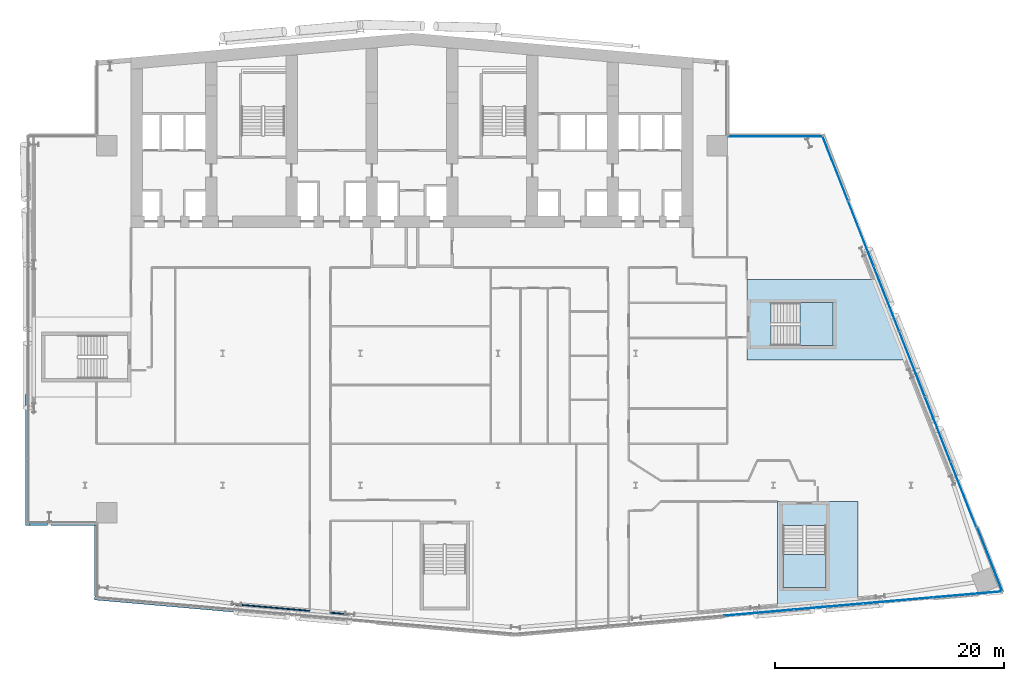
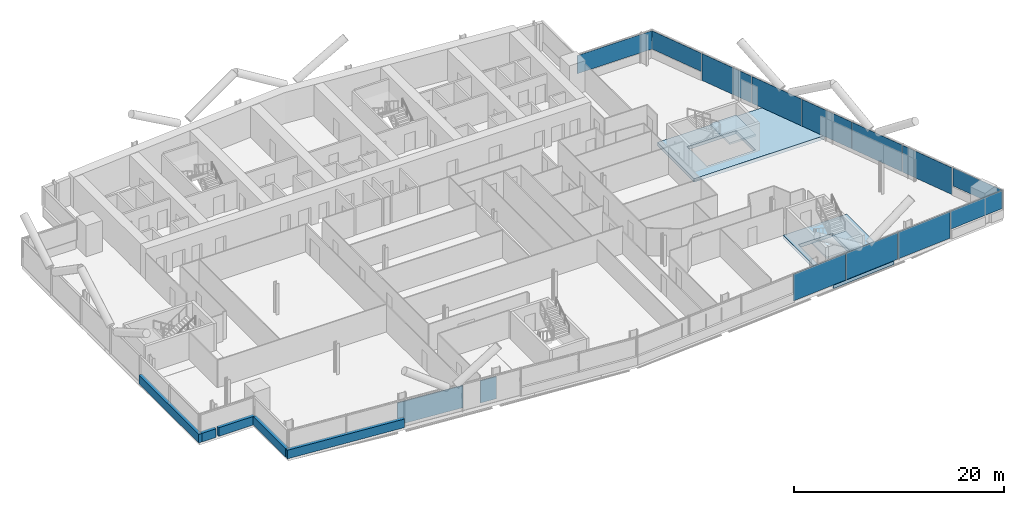
# One storey, part 13 of 27: 12 plates, 7 walls, 4 slabs, 5 elements without a shape of their own.
"""IFC4 building model written with IfcOpenShell, lengths in metres."""

import ifcopenshell
import ifcopenshell.guid

model = None  # the IFC model being written
_history = None  # IfcOwnerHistory: only IFC2X3 demands one
_inside = {}  # id of a spatial element -> (the spatial element, [elements in it])
_under = {}  # id of a project, library or spatial element -> (it, [spatial elements below it])
_declared = {}  # id of a project -> (the project, [libraries it declares])
_typed = {}  # id of a type object -> (the type object, [elements of that type])
_made_of = {}  # id of a material, layer set ... -> (it, [elements and type objects made of it])


def new_model(schema):
    """Start an empty IFC model of exactly this schema.

    Asked for "IFC4X3", IfcOpenShell would pick the latest addendum, in which some entities
    have other attributes; the version numbers below select the first issue.
    IFC2X3 requires an IfcOwnerHistory on every rooted entity: one is made here for all.
    """
    global model, _history
    if schema == "IFC4X3":
        model = ifcopenshell.file(schema_version=(4, 3, 0, 0))
    else:
        model = ifcopenshell.file(schema=schema)
    _inside.clear()
    _under.clear()
    _declared.clear()
    _typed.clear()
    _made_of.clear()
    _history = None
    if model.schema == "IFC2X3":
        org = make("IfcOrganization", Name="unknown")
        user = make(
            "IfcPersonAndOrganization",
            ThePerson=make("IfcPerson", FamilyName="unknown"),
            TheOrganization=org,
        )
        app = make(
            "IfcApplication",
            ApplicationDeveloper=org,
            Version="unknown",
            ApplicationFullName="unknown",
            ApplicationIdentifier="unknown",
        )
        _history = make(
            "IfcOwnerHistory",
            OwningUser=user,
            OwningApplication=app,
            ChangeAction="ADDED",
            CreationDate=0,
        )
    return model


def make(cls, **values):
    """One entity of the class cls with the attributes given. An attribute that is None is left unset."""
    return model.create_entity(
        cls, **{name: value for name, value in values.items() if value is not None}
    )


def rooted(cls, **values):
    """An entity with a GlobalId (a new one), such as an element, a storey or a relation."""
    return make(cls, GlobalId=ifcopenshell.guid.new(), OwnerHistory=_history, **values)


def si_unit(unit_type, name, prefix=None):
    """IfcSIUnit, for example si_unit("LENGTHUNIT", "METRE", prefix="MILLI")."""
    return make("IfcSIUnit", UnitType=unit_type, Prefix=prefix, Name=name)


def assignment(units):
    """IfcUnitAssignment: the units of a project."""
    return None if units is None else make("IfcUnitAssignment", Units=units)


def point(xyz):
    """IfcCartesianPoint."""
    return None if xyz is None else make("IfcCartesianPoint", Coordinates=xyz)


def direction(xyz):
    """IfcDirection."""
    return None if xyz is None else make("IfcDirection", DirectionRatios=xyz)


def frame(location, z_axis=None, x_axis=None):
    """IfcAxis2Placement3D, a coordinate frame: its origin and axes. An axis left out is left unset."""
    return make(
        "IfcAxis2Placement3D",
        Location=point(location),
        Axis=direction(z_axis),
        RefDirection=direction(x_axis),
    )


def frame_2d(location, x_axis=None):
    """IfcAxis2Placement2D, a coordinate frame in the plane: its origin and x axis."""
    return make(
        "IfcAxis2Placement2D", Location=point(location), RefDirection=direction(x_axis)
    )


def origin():
    """The frame at (0, 0, 0) with its axes left unset."""
    return frame((0.0, 0.0, 0.0))


def origin_2d():
    """The frame at (0, 0) in the plane with its x axis left unset."""
    return frame_2d((0.0, 0.0))


def place(relative_to, where):
    """IfcLocalPlacement: puts the frame where relative to a parent placement (None: the world)."""
    return make(
        "IfcLocalPlacement", PlacementRelTo=relative_to, RelativePlacement=where
    )


def context(
    kind, dimensions, precision=None, world=None, true_north=None, identifier=None
):
    """IfcGeometricRepresentationContext, for example the 3D "Model" context."""
    return make(
        "IfcGeometricRepresentationContext",
        ContextIdentifier=identifier,
        ContextType=kind,
        CoordinateSpaceDimension=dimensions,
        Precision=precision,
        WorldCoordinateSystem=world,
        TrueNorth=true_north,
    )


def subcontext(parent, identifier, kind, view, scale=None):
    """IfcGeometricRepresentationSubContext, for example "Body" below "Model"."""
    return make(
        "IfcGeometricRepresentationSubContext",
        ContextIdentifier=identifier,
        ContextType=kind,
        ParentContext=parent,
        TargetScale=scale,
        TargetView=view,
    )


def project(units=None, contexts=None):
    """IfcProject with its units and contexts."""
    return rooted(
        "IfcProject",
        Name="project",
        RepresentationContexts=contexts,
        UnitsInContext=assignment(units),
    )


def spatial(cls, under=None, at=None, **own):
    """A site, building, storey or space (cls), placed at a placement, below another one or the project."""
    s = rooted(cls, ObjectPlacement=at, **own)
    if under is not None:
        _under.setdefault(under.id(), (under, []))[1].append(s)
    return s


def polyline(points):
    """IfcPolyline through the points."""
    return make("IfcPolyline", Points=[point(p) for p in points])


def profile(cls, at=None, kind="AREA", **sizes):
    """A parametric profile (cls). Its sizes go by their IFC names, for example OverallWidth=200.0."""
    return make(cls, ProfileType=kind, Position=at, **sizes)


def rectangle(**sizes):
    """IfcRectangleProfileDef."""
    return profile("IfcRectangleProfileDef", **sizes)


def outline(outer, holes=None, kind="AREA"):
    """IfcArbitraryClosedProfileDef: a profile drawn as a closed curve; with holes, ...WithVoids."""
    if holes is None:
        return make("IfcArbitraryClosedProfileDef", ProfileType=kind, OuterCurve=outer)
    return make(
        "IfcArbitraryProfileDefWithVoids",
        ProfileType=kind,
        OuterCurve=outer,
        InnerCurves=holes,
    )


def extrude(swept, where, along, depth):
    """IfcExtrudedAreaSolid: the profile swept, set in the frame where, extruded along a direction by depth."""
    return make(
        "IfcExtrudedAreaSolid",
        SweptArea=swept,
        Position=where,
        ExtrudedDirection=direction(along),
        Depth=depth,
    )


def shape(context_of_items, identifier, shape_type, items):
    """IfcShapeRepresentation: the items that make up one representation, for example the "Body"."""
    return make(
        "IfcShapeRepresentation",
        ContextOfItems=context_of_items,
        RepresentationIdentifier=identifier,
        RepresentationType=shape_type,
        Items=items,
    )


def material(Name=None, Category=None):
    """IfcMaterial."""
    return make("IfcMaterial", Name=Name, Category=Category)


def layer(
    of_material, thickness, ventilated=None, Name=None, Category=None, Priority=None
):
    """IfcMaterialLayer: one layer of a wall or slab, of a material (None: an air gap)."""
    return make(
        "IfcMaterialLayer",
        Material=of_material,
        LayerThickness=thickness,
        IsVentilated=ventilated,
        Name=Name,
        Category=Category,
        Priority=Priority,
    )


def layer_set(layers, Name=None):
    """IfcMaterialLayerSet."""
    return make("IfcMaterialLayerSet", MaterialLayers=layers, LayerSetName=Name)


def made_of(thing, what):
    """Note that an element or type object is made of a material, layer set ...; save() writes the relation."""
    if what is not None:
        _made_of.setdefault(what.id(), (what, []))[1].append(thing)
    return thing


def type_object(cls, material=None, **own):
    """A type object (cls), such as IfcWallType, which elements share."""
    return made_of(rooted(cls, **own), material)


def element(
    cls,
    number,
    at=None,
    inside=None,
    cuts=None,
    type_object=None,
    material=None,
    context=None,
    identifier="Body",
    shape_type=None,
    held_by="IfcProductDefinitionShape",
    body=None,
    shapes=None,
    **own,
):
    """One element of the class cls, such as IfcWall. Its Tag is "e" and its number.

    at: its placement. inside: the storey or other place that contains it. cuts: it is an
    opening in that element (IfcRelVoidsElement). A single representation is given by context,
    identifier, shape_type and body (its items); several are given by shapes. held_by: the class
    of the entity that holds the representations. save() writes the other relations.
    """
    e = rooted(cls, Tag="e%d" % number, ObjectPlacement=at, **own)
    if body is not None:
        shapes = [shape(context, identifier, shape_type, body)]
    if shapes is not None:
        e.Representation = make(held_by, Representations=shapes)
    if inside is not None:
        _inside.setdefault(inside.id(), (inside, []))[1].append(e)
    if cuts is not None:
        rooted(
            "IfcRelVoidsElement", RelatingBuildingElement=cuts, RelatedOpeningElement=e
        )
    if type_object is not None:
        _typed.setdefault(type_object.id(), (type_object, []))[1].append(e)
    return made_of(e, material)


def aggregate(whole, parts):
    """IfcRelAggregates: a whole, such as a stair, and the parts it consists of."""
    return rooted("IfcRelAggregates", RelatingObject=whole, RelatedObjects=parts)


def save(model, path):
    """Write the relations noted so far, then the file.

    IfcRelAggregates (storeys below a building ...), IfcRelContainedInSpatialStructure (elements
    in a storey), IfcRelDefinesByType, IfcRelAssociatesMaterial and IfcRelDeclares: one each for
    every whole, place, type object, material and project.
    """
    for whole, parts in _under.values():
        aggregate(whole, parts)
    for where, things in _inside.values():
        rooted(
            "IfcRelContainedInSpatialStructure",
            RelatedElements=things,
            RelatingStructure=where,
        )
    for kind, things in _typed.values():
        rooted("IfcRelDefinesByType", RelatedObjects=things, RelatingType=kind)
    for what, things in _made_of.values():
        rooted("IfcRelAssociatesMaterial", RelatedObjects=things, RelatingMaterial=what)
    for by, libraries in _declared.values():
        rooted("IfcRelDeclares", RelatingContext=by, RelatedDefinitions=libraries)
    model.write(path)


model = new_model("IFC4")

# Units and contexts
model_context = context("Model", 3, precision=1e-05, world=origin(), true_north=direction((0.0, 1.0)))
body_context = subcontext(model_context, "Body", "Model", "MODEL_VIEW")
ifc_project = project(units=[si_unit("LENGTHUNIT", "METRE"), si_unit("AREAUNIT", "SQUARE_METRE"), si_unit("VOLUMEUNIT", "CUBIC_METRE"), si_unit("PLANEANGLEUNIT", "RADIAN"), si_unit("MASSUNIT", "GRAM", prefix="KILO")], contexts=[model_context])

# Site, building, storey
site_placement = place(None, origin())
site = spatial("IfcSite", under=ifc_project, at=site_placement, CompositionType="ELEMENT")
building_placement = place(site_placement, origin())
building = spatial("IfcBuilding", under=site, at=building_placement, Name="Wharfspan Tower", CompositionType="ELEMENT")
storey_placement = place(building_placement, frame((0.0, 0.0, 111.100098)))
storey = spatial("IfcBuildingStorey", under=building, at=storey_placement, Name="L25", CompositionType="ELEMENT", Elevation=111.100098)

# Curtain wall, plate
ifc_material_1 = material(Name="Aluminium 6063-T6", Category="aluminium")
curtain_wall_type_1 = type_object("IfcCurtainWallType", Name="CURTAIN WALL FACETED FRONT", PredefinedType="NOTDEFINED", material=ifc_material_1)
curtain_wall_1_placement = place(storey_placement, origin())
curtain_wall_1 = element("IfcCurtainWall", 1, at=curtain_wall_1_placement, inside=storey, type_object=curtain_wall_type_1, Name="Curtain wall S2", PredefinedType="NOTDEFINED")
ifc_material_2 = material(Name="Glass clear low-iron double glazing", Category="glass")
ifc_layer_1 = layer(ifc_material_2, 0.040039)
ifc_layer_set_1 = layer_set([ifc_layer_1], Name="Glass clear low-iron double glazing")
plate_type_1 = type_object("IfcPlateType", Name="GLASS PANEL FACETED FRONT 40", PredefinedType="CURTAIN_PANEL", material=ifc_layer_set_1)
plate_1_placement = place(storey_placement, frame((88.944092, 1.99292, 0.999756), z_axis=(0.0, 0.0, 1.0), x_axis=(0.996198, 0.087156, 0.0)))
plate_1 = element("IfcPlate", 2, at=plate_1_placement, type_object=plate_type_1, Name="Curtain wall S2 panel 7", PredefinedType="CURTAIN_PANEL", context=body_context, shape_type="SweptSolid", body=[
    extrude(rectangle(XDim=6.004639, YDim=0.040039, at=origin_2d()), origin(), (0.0, 0.0, 1.0), 2.120117),
])

# Curtain wall, plates
curtain_wall_type_2 = type_object("IfcCurtainWallType", Name="CURTAIN WALL PROW AND END", PredefinedType="NOTDEFINED", material=ifc_material_1)
curtain_wall_2_placement = place(storey_placement, origin())
curtain_wall_2 = element("IfcCurtainWall", 3, at=curtain_wall_2_placement, inside=storey, type_object=curtain_wall_type_2, Name="Curtain wall E", PredefinedType="NOTDEFINED")
ifc_layer_2 = layer(ifc_material_2, 0.040039)
ifc_layer_set_2 = layer_set([ifc_layer_2], Name="Glass clear low-iron double glazing")
plate_type_2 = type_object("IfcPlateType", Name="GLASS PANEL PROW AND END 40", PredefinedType="CURTAIN_PANEL", material=ifc_layer_set_2)
plate_2_placement = place(storey_placement, frame((90.877197, 5.056885, 0.999756), z_axis=(0.0, 0.0, 1.0), x_axis=(-0.365778, 0.930702, 0.0)))
plate_2 = element("IfcPlate", 4, at=plate_2_placement, type_object=plate_type_2, Name="Curtain wall E panel 1", PredefinedType="CURTAIN_PANEL", context=body_context, shape_type="SweptSolid", body=[
    extrude(rectangle(XDim=6.019043, YDim=0.040039, at=origin_2d()), origin(), (0.0, 0.0, 1.0), 2.120117),
])
plate_3_placement = place(storey_placement, frame((77.406494, 39.114014, 0.999756), z_axis=(0.0, 0.0, 1.0), x_axis=(-0.365778, 0.930702, 0.0)))
plate_3 = element("IfcPlate", 5, at=plate_3_placement, type_object=plate_type_2, Name="Curtain wall E panel 7", PredefinedType="CURTAIN_PANEL", context=body_context, shape_type="SweptSolid", body=[
    extrude(rectangle(XDim=6.019043, YDim=0.040039, at=origin_2d()), origin(), (0.0, 0.0, 1.0), 2.120117),
])

# Curtain wall, plate
curtain_wall_3_placement = place(storey_placement, origin())
curtain_wall_3 = element("IfcCurtainWall", 6, at=curtain_wall_3_placement, inside=storey, type_object=curtain_wall_type_2, Name="Curtain wall NRE-H", PredefinedType="NOTDEFINED")
plate_4_placement = place(storey_placement, frame((72.178955, 41.919922, 0.999756), z_axis=(0.0, 0.0, 1.0), x_axis=(-1.0, 0.0, 0.0)))
plate_4 = element("IfcPlate", 7, at=plate_4_placement, type_object=plate_type_2, Name="Curtain wall NRE-H panel 1", PredefinedType="CURTAIN_PANEL", context=body_context, shape_type="SweptSolid", body=[
    extrude(rectangle(XDim=8.238037, YDim=0.040039, at=origin_2d()), origin(), (0.0, 0.0, 1.0), 2.120117),
])
aggregate(curtain_wall_3, [plate_4])

# Plate
ifc_material_3 = material(Name="Aluminium composite opaque insulated panel", Category="aluminium")
ifc_layer_3 = layer(ifc_material_3, 0.040039)
ifc_layer_set_3 = layer_set([ifc_layer_3], Name="Aluminium composite opaque insulated panel")
plate_type_3 = type_object("IfcPlateType", Name="INFILL PANEL FACETED FRONT OPAQUE 40", PredefinedType="SHEET", material=ifc_layer_set_3)
plate_5_placement = place(storey_placement, frame((70.744873, 0.400635, -0.000244), z_axis=(0.0, 0.0, 1.0), x_axis=(0.996198, 0.087156, 0.0)))
plate_5 = element("IfcPlate", 8, at=plate_5_placement, type_object=plate_type_3, Name="Curtain wall S2 panel 4", PredefinedType="SHEET", context=body_context, shape_type="SweptSolid", body=[
    extrude(rectangle(XDim=6.034668, YDim=0.040039, at=origin_2d()), origin(), (0.0, 0.0, 1.0), 3.120117),
])

plate_6_placement = place(storey_placement, frame((76.816162, 0.931885, -0.000244), z_axis=(0.0, 0.0, 1.0), x_axis=(0.996198, 0.087156, 0.0)))
plate_6 = element("IfcPlate", 9, at=plate_6_placement, type_object=plate_type_3, Name="Curtain wall S2 panel 5", PredefinedType="SHEET", context=body_context, shape_type="SweptSolid", body=[
    extrude(rectangle(XDim=6.034668, YDim=0.040039, at=origin_2d()), origin(), (0.0, 0.0, 1.0), 3.120117),
])

plate_7_placement = place(storey_placement, frame((82.887695, 1.462891, -0.000244), z_axis=(0.0, 0.0, 1.0), x_axis=(0.996198, 0.087156, 0.0)))
plate_7 = element("IfcPlate", 10, at=plate_7_placement, type_object=plate_type_3, Name="Curtain wall S2 panel 6", PredefinedType="SHEET", context=body_context, shape_type="SweptSolid", body=[
    extrude(rectangle(XDim=6.034668, YDim=0.040039, at=origin_2d()), origin(), (0.0, 0.0, 1.0), 3.120117),
])

aggregate(curtain_wall_1, [plate_5, plate_6, plate_7, plate_1])

ifc_layer_4 = layer(ifc_material_3, 0.040039)
ifc_layer_set_4 = layer_set([ifc_layer_4], Name="Aluminium composite opaque insulated panel")
plate_type_4 = type_object("IfcPlateType", Name="INFILL PANEL PROW AND END OPAQUE 40", PredefinedType="SHEET", material=ifc_layer_set_4)
plate_8_placement = place(storey_placement, frame((88.57373, 10.699219, -0.000244), z_axis=(0.0, 0.0, 1.0), x_axis=(-0.365778, 0.930702, 0.0)))
plate_8 = element("IfcPlate", 11, at=plate_8_placement, type_object=plate_type_4, Name="Curtain wall E panel 2", PredefinedType="SHEET", context=body_context, shape_type="SweptSolid", body=[
    extrude(rectangle(XDim=6.049072, YDim=0.040039, at=origin_2d()), origin(), (0.0, 0.0, 1.0), 3.120117),
])

plate_9_placement = place(storey_placement, frame((86.339111, 16.38501, -0.000244), z_axis=(0.0, 0.0, 1.0), x_axis=(-0.365778, 0.930702, 0.0)))
plate_9 = element("IfcPlate", 12, at=plate_9_placement, type_object=plate_type_4, Name="Curtain wall E panel 3", PredefinedType="SHEET", context=body_context, shape_type="SweptSolid", body=[
    extrude(rectangle(XDim=6.049072, YDim=0.040039, at=origin_2d()), origin(), (0.0, 0.0, 1.0), 3.120117),
])

plate_10_placement = place(storey_placement, frame((84.104492, 22.070801, -0.000244), z_axis=(0.0, 0.0, 1.0), x_axis=(-0.365778, 0.930702, 0.0)))
plate_10 = element("IfcPlate", 13, at=plate_10_placement, type_object=plate_type_4, Name="Curtain wall E panel 4", PredefinedType="SHEET", context=body_context, shape_type="SweptSolid", body=[
    extrude(rectangle(XDim=6.049072, YDim=0.040039, at=origin_2d()), origin(), (0.0, 0.0, 1.0), 3.120117),
])

plate_11_placement = place(storey_placement, frame((81.870117, 27.756348, -0.000244), z_axis=(0.0, 0.0, 1.0), x_axis=(-0.365778, 0.930702, 0.0)))
plate_11 = element("IfcPlate", 14, at=plate_11_placement, type_object=plate_type_4, Name="Curtain wall E panel 5", PredefinedType="SHEET", context=body_context, shape_type="SweptSolid", body=[
    extrude(rectangle(XDim=6.049072, YDim=0.040039, at=origin_2d()), origin(), (0.0, 0.0, 1.0), 3.120117),
])

plate_12_placement = place(storey_placement, frame((79.635498, 33.442139, -0.000244), z_axis=(0.0, 0.0, 1.0), x_axis=(-0.365778, 0.930702, 0.0)))
plate_12 = element("IfcPlate", 15, at=plate_12_placement, type_object=plate_type_4, Name="Curtain wall E panel 6", PredefinedType="SHEET", context=body_context, shape_type="SweptSolid", body=[
    extrude(rectangle(XDim=6.049072, YDim=0.040039, at=origin_2d()), origin(), (0.0, 0.0, 1.0), 3.120117),
])

aggregate(curtain_wall_2, [plate_2, plate_8, plate_9, plate_10, plate_11, plate_12, plate_3])

# Slabs
ifc_material_4 = material(Name="Concrete C40/50", Category="concrete")
ifc_layer_5 = layer(ifc_material_4, 0.399902)
ifc_layer_set_5 = layer_set([ifc_layer_5], Name="Concrete C40/50")
slab_type_1 = type_object("IfcSlabType", Name="Post-tensioned flat slab 400", PredefinedType="FLOOR", material=ifc_layer_set_5)
slab_1_placement = place(storey_placement, frame((0.0, 0.0, -0.400146)))
element("IfcSlab", 16, at=slab_1_placement, inside=storey, type_object=slab_type_1, Name="Core floor slab L25 part 5", PredefinedType="FLOOR", context=body_context, shape_type="SweptSolid", body=[
    extrude(outline(polyline([(79.365967, 10.094727), (76.891113, 10.094727), (72.541016, 10.094727), (72.365967, 10.094727), (72.365967, 0.482178), (79.365967, 1.094727), (79.365967, 10.094727)]), holes=[polyline([(76.591064, 7.996582), (76.591309, 7.996582), (76.591309, 7.996582), (76.591553, 7.996582), (76.591797, 7.996582), (76.591797, 7.996338), (76.592041, 7.996338), (76.592285, 7.996094), (76.592285, 7.996094), (76.592529, 7.99585), (76.592773, 7.99585), (76.592773, 7.995605), (76.593018, 7.995361), (76.593018, 7.995117), (76.593018, 7.995117), (76.593018, 7.994873), (76.593018, 7.994629), (76.593018, 2.594727), (76.593018, 2.594482), (76.593018, 2.594238), (76.593018, 2.593994), (76.593018, 2.593994), (76.592773, 2.59375), (76.592773, 2.593506), (76.592529, 2.593506), (76.592285, 2.593262), (76.592285, 2.593018), (76.592041, 2.593018), (76.591797, 2.593018), (76.591797, 2.592773), (76.591553, 2.592773), (76.591309, 2.592773), (76.591309, 2.592773), (76.591064, 2.592773), (72.841064, 2.592773), (72.84082, 2.592773), (72.840576, 2.592773), (72.840332, 2.592773), (72.840088, 2.592773), (72.840088, 2.593018), (72.839844, 2.593018), (72.8396, 2.593018), (72.8396, 2.593262), (72.8396, 2.593506), (72.839355, 2.593506), (72.839111, 2.59375), (72.839111, 2.593994), (72.839111, 2.593994), (72.839111, 2.594238), (72.839111, 2.594482), (72.839111, 2.594727), (72.839111, 7.994629), (72.839111, 7.994873), (72.839111, 7.995117), (72.839111, 7.995117), (72.839111, 7.995361), (72.839111, 7.995605), (72.839355, 7.99585), (72.8396, 7.99585), (72.8396, 7.996094), (72.8396, 7.996094), (72.839844, 7.996338), (72.840088, 7.996338), (72.840088, 7.996582), (72.840332, 7.996582), (72.840576, 7.996582), (72.84082, 7.996582), (72.841064, 7.996582), (76.591064, 7.996582)])]), origin(), (0.0, 0.0, 1.0), 0.400146),
])
slab_2_placement = place(storey_placement, frame((0.0, 0.0, -0.400146)))
element("IfcSlab", 17, at=slab_2_placement, inside=storey, type_object=slab_type_1, Name="Core floor slab L25 part 6", PredefinedType="FLOOR", context=body_context, shape_type="SweptSolid", body=[
    extrude(outline(polyline([(81.290283, 29.449951), (69.69043, 29.449951), (69.69043, 27.725098), (69.69043, 23.375), (69.69043, 22.449951), (84.041504, 22.449951), (81.290283, 29.449951)]), holes=[polyline([(71.790283, 23.673096), (71.790283, 23.673096), (71.790039, 23.673096), (71.789795, 23.673096), (71.789551, 23.673096), (71.789551, 23.673096), (71.789307, 23.67334), (71.789062, 23.673584), (71.789062, 23.673584), (71.788818, 23.673584), (71.788818, 23.673828), (71.788574, 23.674072), (71.788574, 23.674316), (71.788574, 23.674316), (71.78833, 23.674561), (71.78833, 23.674805), (71.78833, 23.675049), (71.78833, 27.425049), (71.78833, 27.425293), (71.78833, 27.425293), (71.788574, 27.425537), (71.788574, 27.425781), (71.788574, 27.425781), (71.788818, 27.426025), (71.788818, 27.42627), (71.789062, 27.426514), (71.789062, 27.426514), (71.789307, 27.426758), (71.789551, 27.426758), (71.789551, 27.426758), (71.789795, 27.427002), (71.790039, 27.427002), (71.790283, 27.427002), (71.790283, 27.427002), (77.19043, 27.427002), (77.190674, 27.427002), (77.190918, 27.427002), (77.190918, 27.427002), (77.191162, 27.426758), (77.191406, 27.426758), (77.191406, 27.426758), (77.19165, 27.426514), (77.191895, 27.426514), (77.191895, 27.42627), (77.192139, 27.426025), (77.192139, 27.425781), (77.192139, 27.425781), (77.192383, 27.425537), (77.192383, 27.425293), (77.192383, 27.425293), (77.192383, 27.425049), (77.192383, 23.675049), (77.192383, 23.674805), (77.192383, 23.674561), (77.192383, 23.674316), (77.192139, 23.674316), (77.192139, 23.674072), (77.192139, 23.673828), (77.191895, 23.673584), (77.191895, 23.673584), (77.19165, 23.673584), (77.191406, 23.67334), (77.191406, 23.673096), (77.191162, 23.673096), (77.190918, 23.673096), (77.190918, 23.673096), (77.190674, 23.673096), (77.19043, 23.673096), (71.790283, 23.673096)])]), origin(), (0.0, 0.0, 1.0), 0.400146),
])

# Stair, slab
stair_type = type_object("IfcStairType", Name="Half-turn stair 20 risers 180 mm", PredefinedType="HALF_TURN_STAIR", material=ifc_material_4)
stair_1_placement = place(storey_placement, origin())
stair_1 = element("IfcStair", 18, at=stair_1_placement, inside=storey, type_object=stair_type, Name="L25 stair ST5", PredefinedType="HALF_TURN_STAIR")
ifc_layer_6 = layer(ifc_material_4, 0.199951)
ifc_layer_set_6 = layer_set([ifc_layer_6], Name="Concrete C40/50")
slab_type_2 = type_object("IfcSlabType", Name="Stair landing 200", PredefinedType="LANDING", material=ifc_layer_set_6)
slab_3_placement = place(storey_placement, frame((0.0, 0.0, 1.599609)))
slab_3 = element("IfcSlab", 19, at=slab_3_placement, type_object=slab_type_2, Name="ST5 landing 1", PredefinedType="LANDING", context=body_context, shape_type="SweptSolid", body=[
    extrude(outline(polyline([(72.841064, 5.474609), (72.841064, 2.594727), (76.591064, 2.594727), (76.591064, 5.474609), (72.841064, 5.474609)])), origin(), (0.0, 0.0, 1.0), 0.200195),
])
aggregate(stair_1, [slab_3])

stair_2_placement = place(storey_placement, origin())
stair_2 = element("IfcStair", 20, at=stair_2_placement, inside=storey, type_object=stair_type, Name="L25 stair ST6", PredefinedType="HALF_TURN_STAIR")
slab_4_placement = place(storey_placement, frame((0.0, 0.0, 1.599609)))
slab_4 = element("IfcSlab", 21, at=slab_4_placement, type_object=slab_type_2, Name="ST6 landing 1", PredefinedType="LANDING", context=body_context, shape_type="SweptSolid", body=[
    extrude(outline(polyline([(74.310303, 23.675049), (77.19043, 23.675049), (77.19043, 27.425049), (74.310303, 27.425049), (74.310303, 23.675049)])), origin(), (0.0, 0.0, 1.0), 0.200195),
])
aggregate(stair_2, [slab_4])

# Walls
ifc_material_5 = material(Name="Gypsum board on steel studs", Category="steel")
ifc_layer_7 = layer(ifc_material_5, 0.100098)
ifc_layer_set_7 = layer_set([ifc_layer_7], Name="Gypsum board on steel studs")
wall_type_1 = type_object("IfcWallType", Name="Compartment wall 100 EI 60", PredefinedType="PARTITIONING", material=ifc_layer_set_7)
wall_1_placement = place(storey_placement, frame((31.600098, 0.560059, 0.0), z_axis=(0.0, 0.0, 1.0), x_axis=(-0.996229, 0.086796, 0.0)))
element("IfcWall", 22, at=wall_1_placement, inside=storey, type_object=wall_type_1, Name="Partition L25.w012", PredefinedType="PARTITIONING", context=body_context, shape_type="SweptSolid", body=[
    extrude(rectangle(XDim=6.911133, YDim=0.100098, at=frame_2d((3.455566, 0.0))), origin(), (0.0, 0.0, 1.0), 2.579834),
])
wall_2_placement = place(storey_placement, frame((35.084961, 0.254883, 0.0), z_axis=(0.0, 0.0, 1.0), x_axis=(-0.996316, 0.085745, 0.0)))
element("IfcWall", 23, at=wall_2_placement, inside=storey, type_object=wall_type_1, Name="Partition L25.w021", PredefinedType="PARTITIONING", context=body_context, shape_type="SweptSolid", body=[
    extrude(rectangle(XDim=1.691406, YDim=0.100098, at=frame_2d((0.845703, 0.0))), origin(), (0.0, 0.0, 1.0), 2.579834),
])
ifc_layer_8 = layer(ifc_material_4, 0.350098)
ifc_layer_set_8 = layer_set([ifc_layer_8], Name="Concrete C40/50")
wall_type_2 = type_object("IfcWallType", Name="SPANDREL EXPOSED CONCRETE 350", PredefinedType="SOLIDWALL", material=ifc_layer_set_8)
wall_3_placement = place(storey_placement, frame((12.835205, 1.68457, 0.0), z_axis=(0.0, 0.0, 1.0), x_axis=(0.996192, -0.087173, 0.0)))
element("IfcWall", 24, at=wall_3_placement, inside=storey, type_object=wall_type_2, Name="Spandrel upstand L25 S1 1", PredefinedType="SOLIDWALL", context=body_context, shape_type="SweptSolid", body=[
    extrude(rectangle(XDim=12.348145, YDim=0.350098, at=frame_2d((6.174072, 0.0))), origin(), (0.0, 0.0, 1.0), 1.0),
])
wall_4_placement = place(storey_placement, frame((6.995117, 19.436768, 0.0), z_axis=(0.0, 0.0, 1.0), x_axis=(0.0, -1.0, 0.0)))
element("IfcWall", 25, at=wall_4_placement, inside=storey, type_object=wall_type_2, Name="Spandrel upstand L25 W", PredefinedType="SOLIDWALL", context=body_context, shape_type="SweptSolid", body=[
    extrude(rectangle(XDim=11.416748, YDim=0.350098, at=frame_2d((5.708496, 0.0))), origin(), (0.0, 0.0, 1.0), 1.0),
])
wall_5_placement = place(storey_placement, frame((7.169922, 8.195068, 0.0), z_axis=(0.0, 0.0, 1.0), x_axis=(1.0, 0.0, 0.0)))
element("IfcWall", 26, at=wall_5_placement, inside=storey, type_object=wall_type_2, Name="Spandrel upstand L25 NFW-H", PredefinedType="SOLIDWALL", context=body_context, shape_type="SweptSolid", body=[
    extrude(rectangle(XDim=1.563232, YDim=0.350098, at=frame_2d((0.781738, 0.0))), origin(), (0.0, 0.0, 1.0), 1.0),
])
wall_6_placement = place(storey_placement, frame((9.036133, 8.195068, 0.0), z_axis=(0.0, 0.0, 1.0), x_axis=(1.0, 0.0, 0.0)))
element("IfcWall", 27, at=wall_6_placement, inside=storey, type_object=wall_type_2, Name="Spandrel upstand L25 NFW-H 2", PredefinedType="SOLIDWALL", context=body_context, shape_type="SweptSolid", body=[
    extrude(rectangle(XDim=3.963867, YDim=0.350098, at=frame_2d((1.981934, 0.0))), origin(), (0.0, 0.0, 1.0), 1.0),
])
wall_7_placement = place(storey_placement, frame((12.995117, 8.02002, 0.0), z_axis=(0.0, 0.0, 1.0), x_axis=(0.0, -1.0, 0.0)))
element("IfcWall", 28, at=wall_7_placement, inside=storey, type_object=wall_type_2, Name="Spandrel upstand L25 NFW-V", PredefinedType="SOLIDWALL", context=body_context, shape_type="SweptSolid", body=[
    extrude(rectangle(XDim=6.161133, YDim=0.350098, at=frame_2d((3.080566, 0.0))), origin(), (0.0, 0.0, 1.0), 1.0),
])

save(model, "model.ifc")
